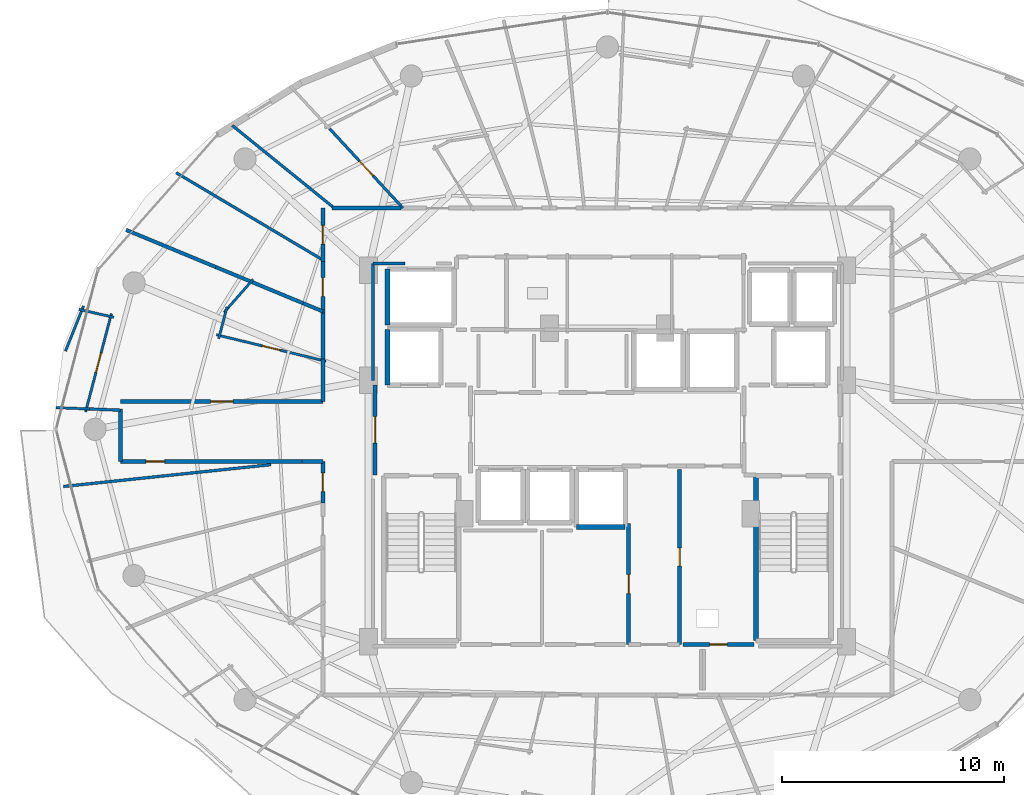
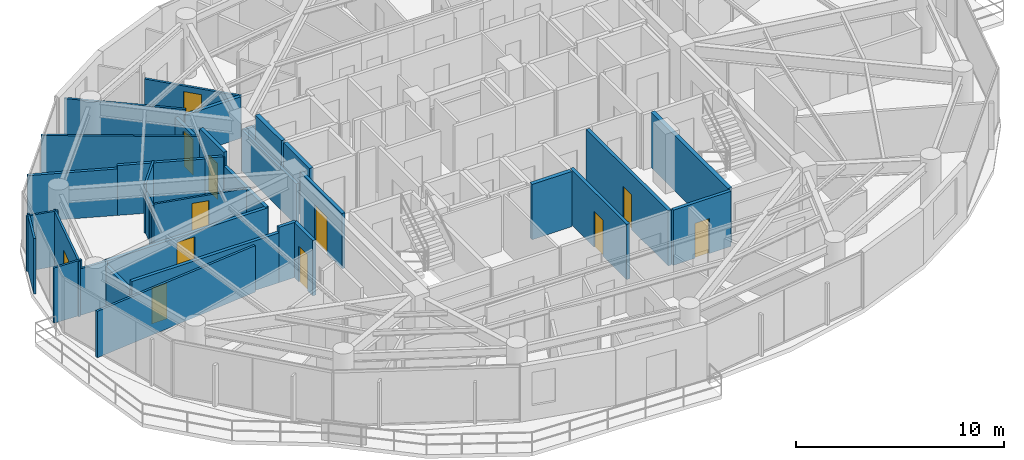
# One storey, part 21 of 28: 35 walls, 12 doors, 12 openings.
"""IFC4 building model written with IfcOpenShell, lengths in metres."""

from ifc_helpers import new_model, si_unit, direction, frame, frame_2d, origin, place, context, subcontext, project, spatial, rectangle, extrude, material, layer, layer_set, type_object, element, fill, save


model = new_model("IFC4")

# Units and contexts
model_context = context("Model", 3, precision=1e-05, world=origin(), true_north=direction((0.0, 1.0)))
body_context = subcontext(model_context, "Body", "Model", "MODEL_VIEW")
ifc_project = project(units=[si_unit("LENGTHUNIT", "METRE"), si_unit("AREAUNIT", "SQUARE_METRE"), si_unit("VOLUMEUNIT", "CUBIC_METRE"), si_unit("PLANEANGLEUNIT", "RADIAN"), si_unit("MASSUNIT", "GRAM", prefix="KILO")], contexts=[model_context])

# Site, building, storey
site_placement = place(None, origin())
site = spatial("IfcSite", under=ifc_project, at=site_placement, CompositionType="ELEMENT")
building_placement = place(site_placement, origin())
building = spatial("IfcBuilding", under=site, at=building_placement, Name="Vorneva Point Tower", CompositionType="ELEMENT")
storey_placement = place(building_placement, frame((0.0, 0.0, 146.60009765625)))
storey = spatial("IfcBuildingStorey", under=building, at=storey_placement, Name="L39", CompositionType="ELEMENT", Elevation=146.60009765625)

# Wall
ifc_material_1 = material(Name="Concrete B60 (C50/60)", Category="concrete")
ifc_layer_1 = layer(ifc_material_1, 0.5)
ifc_layer_set_1 = layer_set([ifc_layer_1], Name="Concrete B60 (C50/60)")
wall_type_1 = type_object("IfcWallType", Name="WL-CORE-500", PredefinedType="SHEAR", material=ifc_layer_set_1)
wall_1_placement = place(storey_placement, frame((28.10009765625, 30.5, 0.0), z_axis=(0.0, 0.0, 1.0), x_axis=(0.0, -1.0, 0.0)))
element("IfcWall", 1, at=wall_1_placement, inside=storey, type_object=wall_type_1, Name="L39 Lift FFL1 Shaft Wall -X", PredefinedType="SHEAR", context=body_context, shape_type="SweptSolid", body=[
    extrude(rectangle(XDim=2.5, YDim=0.219970703125, at=frame_2d((1.25, 0.0))), origin(), (0.0, 0.0, 1.0), 3.239990234375),
])

# Wall, opening, door
ifc_material_2 = material(Name="Fire-rated acoustic gypsum stud partition", Category="gypsum")
ifc_layer_2 = layer(ifc_material_2, 0.110107421875)
ifc_layer_set_2 = layer_set([ifc_layer_2], Name="Fire-rated acoustic gypsum stud partition")
wall_type_2 = type_object("IfcWallType", Name="WL-PART-110", PredefinedType="PARTITIONING", material=ifc_layer_set_2)
wall_2_placement = place(storey_placement, frame((25.336181640625, 29.06103515625, 0.0), z_axis=(0.0, 0.0, 1.0), x_axis=(-0.972001766098, 0.234973544686, 0.0)))
wall_2 = element("IfcWall", 2, at=wall_2_placement, inside=storey, type_object=wall_type_2, Name="L39 Interior Partition 104", PredefinedType="PARTITIONING", context=body_context, shape_type="SweptSolid", body=[
    extrude(rectangle(XDim=5.064208984375, YDim=0.110107421875, at=frame_2d((2.5322265625, 0.0))), origin(), (0.0, 0.0, 1.0), 2.431884765625),
])
opening_1_placement = place(wall_2_placement, frame((2.10693359375, 0.0, 0.0)))
opening_1 = element("IfcOpeningElement", 3, at=opening_1_placement, cuts=wall_2, Name="Opening ID-02", PredefinedType="OPENING", context=body_context, shape_type="SweptSolid", body=[
    extrude(rectangle(XDim=0.85009765625, YDim=2.10009765625, at=frame_2d((0.425048828125, 1.050048828125))), frame((0.0, 0.06982421875, 0.0), z_axis=(0.0, -1.0, 0.0), x_axis=(1.0, 0.0, 0.0)), (0.0, 0.0, 1.0), 0.139892578125),
])
ifc_material_3 = material(Name="Engineered oak fire-rated door leaf", Category="wood")
door_type_1 = type_object("IfcDoorType", Name="DR-BATH-850", OperationType="NOTDEFINED", PredefinedType="DOOR", material=ifc_material_3)
door_1_placement = place(opening_1_placement, origin())
door_1 = element("IfcDoor", 4, at=door_1_placement, inside=storey, type_object=door_type_1, Name="L39 Door Living and Dining Room L39-04 / Bathroom L39-04", OperationType="SINGLE_SWING_RIGHT", OverallHeight=2.10009765625, OverallWidth=0.85009765625, PredefinedType="DOOR", context=body_context, shape_type="SweptSolid", body=[
    extrude(rectangle(XDim=0.85009765625, YDim=2.10009765625, at=frame_2d((0.425048828125, 1.050048828125))), frame((0.0, 0.02490234375, 0.0), z_axis=(0.0, -1.0, 0.0), x_axis=(1.0, 0.0, 0.0)), (0.0, 0.0, 1.0), 0.050048828125),
])
fill(opening_1, door_1)

# Walls
wall_3_placement = place(storey_placement, frame((20.514404296875, 30.08251953125, 0.0), z_axis=(0.0, 0.0, 1.0), x_axis=(0.254223916145, 0.967145387447, 0.0)))
element("IfcWall", 5, at=wall_3_placement, inside=storey, type_object=wall_type_2, Name="L39 Interior Partition 105", PredefinedType="PARTITIONING", context=body_context, shape_type="SweptSolid", body=[
    extrude(rectangle(XDim=1.47216796875, YDim=0.110107421875, at=frame_2d((0.736083984375, 0.0))), origin(), (0.0, 0.0, 1.0), 2.431884765625),
])
wall_4_placement = place(storey_placement, frame((20.76025390625, 31.26611328125, 0.0), z_axis=(0.0, 0.0, 1.0), x_axis=(0.662014950831, 0.749490630279, 0.0)))
element("IfcWall", 6, at=wall_4_placement, inside=storey, type_object=wall_type_2, Name="L39 Interior Partition 106", PredefinedType="PARTITIONING", context=body_context, shape_type="SweptSolid", body=[
    extrude(rectangle(XDim=1.970458984375, YDim=0.110107421875, at=frame_2d((0.9853515625, 0.0))), origin(), (0.0, 0.0, 1.0), 2.921875),
])
wall_5_placement = place(storey_placement, frame((14.2255859375, 31.39306640625, 0.0), z_axis=(0.0, 0.0, 1.0), x_axis=(0.975195623383, -0.221344744989, 0.0)))
element("IfcWall", 7, at=wall_5_placement, inside=storey, type_object=wall_type_2, Name="L39 Interior Partition 107", PredefinedType="PARTITIONING", context=body_context, shape_type="SweptSolid", body=[
    extrude(rectangle(XDim=1.603759765625, YDim=0.110107421875, at=frame_2d((0.8017578125, 0.0))), origin(), (0.0, 0.0, 1.0), 3.239990234375),
])

# Wall, opening, door
wall_6_placement = place(storey_placement, frame((15.688720703125, 31.204345703125, 0.0), z_axis=(0.0, 0.0, 1.0), x_axis=(-0.254346037576, -0.967113278354, 0.0)))
wall_6 = element("IfcWall", 8, at=wall_6_placement, inside=storey, type_object=wall_type_2, Name="L39 Interior Partition 108", PredefinedType="PARTITIONING", context=body_context, shape_type="SweptSolid", body=[
    extrude(rectangle(XDim=4.570068359375, YDim=0.110107421875, at=frame_2d((2.28515625, 0.0))), origin(), (0.0, 0.0, 1.0), 3.239990234375),
])
opening_2_placement = place(wall_6_placement, frame((1.8349609375, 0.0, 0.0)))
opening_2 = element("IfcOpeningElement", 9, at=opening_2_placement, cuts=wall_6, Name="Opening ID-01", PredefinedType="OPENING", context=body_context, shape_type="SweptSolid", body=[
    extrude(rectangle(XDim=0.89990234375, YDim=2.10009765625, at=frame_2d((0.449951171875, 1.050048828125))), frame((0.0, 0.06982421875, 0.0), z_axis=(0.0, -1.0, 0.0), x_axis=(1.0, 0.0, 0.0)), (0.0, 0.0, 1.0), 0.139892578125),
])
door_type_2 = type_object("IfcDoorType", Name="DR-ROOM-900", OperationType="NOTDEFINED", PredefinedType="DOOR", material=ifc_material_3)
door_2_placement = place(opening_2_placement, origin())
door_2 = element("IfcDoor", 10, at=door_2_placement, inside=storey, type_object=door_type_2, Name="L39 Door Living and Dining Room L39-04 / Kitchen L39-04", OperationType="SINGLE_SWING_LEFT", OverallHeight=2.10009765625, OverallWidth=0.89990234375, PredefinedType="DOOR", context=body_context, shape_type="SweptSolid", body=[
    extrude(rectangle(XDim=0.89990234375, YDim=2.10009765625, at=frame_2d((0.449951171875, 1.050048828125))), frame((0.0, 0.02490234375, 0.0), z_axis=(0.0, -1.0, 0.0), x_axis=(1.0, 0.0, 0.0)), (0.0, 0.0, 1.0), 0.050048828125),
])
fill(opening_2, door_2)

# Walls
wall_7_placement = place(storey_placement, frame((14.43603515625, 31.548095703125, 0.0), z_axis=(0.0, 0.0, 1.0), x_axis=(-0.371544752876, -0.928415045446, 0.0)))
element("IfcWall", 11, at=wall_7_placement, inside=storey, type_object=wall_type_2, Name="L39 Interior Partition 109", PredefinedType="PARTITIONING", context=body_context, shape_type="SweptSolid", body=[
    extrude(rectangle(XDim=2.185546875, YDim=0.110107421875, at=frame_2d((1.0927734375, 0.0))), origin(), (0.0, 0.0, 1.0), 3.239990234375),
])
wall_8_placement = place(storey_placement, frame((13.18701171875, 26.974609375, 0.0), z_axis=(0.0, 0.0, 1.0), x_axis=(0.999208657324, -0.039775106907, 0.0)))
element("IfcWall", 12, at=wall_8_placement, inside=storey, type_object=wall_type_2, Name="L39 Interior Partition 111", PredefinedType="PARTITIONING", context=body_context, shape_type="SweptSolid", body=[
    extrude(rectangle(XDim=1.51611328125, YDim=0.110107421875, at=frame_2d((0.758056640625, 0.0))), origin(), (0.0, 0.0, 1.0), 3.239990234375),
])

# Wall, opening, door
ifc_layer_3 = layer(ifc_material_2, 0.125)
ifc_layer_set_3 = layer_set([ifc_layer_3], Name="Fire-rated acoustic gypsum stud partition")
wall_type_3 = type_object("IfcWallType", Name="WL-PART-125", PredefinedType="PARTITIONING", material=ifc_layer_set_3)
wall_9_placement = place(storey_placement, frame((25.5048828125, 39.51708984375, 0.0), z_axis=(0.0, 0.0, 1.0), x_axis=(0.678766339668, -0.734354312395, 0.0)))
wall_9 = element("IfcWall", 13, at=wall_9_placement, inside=storey, type_object=wall_type_3, Name="L39 Interior Partition 098", PredefinedType="PARTITIONING", context=body_context, shape_type="SweptSolid", body=[
    extrude(rectangle(XDim=4.857421875, YDim=0.125, at=frame_2d((2.4287109375, 0.0))), origin(), (0.0, 0.0, 1.0), 2.431884765625),
])
opening_3_placement = place(wall_9_placement, frame((1.978759765625, 0.0, 0.0)))
opening_3 = element("IfcOpeningElement", 14, at=opening_3_placement, cuts=wall_9, Name="Opening ID-01", PredefinedType="OPENING", context=body_context, shape_type="SweptSolid", body=[
    extrude(rectangle(XDim=0.89990234375, YDim=2.10009765625, at=frame_2d((0.449951171875, 1.050048828125))), frame((0.0, 0.077392578125, 0.0), z_axis=(0.0, -1.0, 0.0), x_axis=(1.0, 0.0, 0.0)), (0.0, 0.0, 1.0), 0.15478515625),
])
door_3_placement = place(opening_3_placement, origin())
door_3 = element("IfcDoor", 15, at=door_3_placement, inside=storey, type_object=door_type_2, Name="L39 Door Living and Dining Room L39-03 / Master Bedroom L39-03.1", OperationType="SINGLE_SWING_LEFT", OverallHeight=2.10009765625, OverallWidth=0.89990234375, PredefinedType="DOOR", context=body_context, shape_type="SweptSolid", body=[
    extrude(rectangle(XDim=0.89990234375, YDim=2.10009765625, at=frame_2d((0.449951171875, 1.050048828125))), frame((0.0, 0.02490234375, 0.0), z_axis=(0.0, -1.0, 0.0), x_axis=(1.0, 0.0, 0.0)), (0.0, 0.0, 1.0), 0.050048828125),
])
fill(opening_3, door_3)

# Walls
wall_10_placement = place(storey_placement, frame((21.1259765625, 39.6650390625, 0.0), z_axis=(0.0, 0.0, 1.0), x_axis=(0.777089771819, -0.629389773141, 0.0)))
element("IfcWall", 16, at=wall_10_placement, inside=storey, type_object=wall_type_3, Name="L39 Interior Partition 099", PredefinedType="PARTITIONING", context=body_context, shape_type="SweptSolid", body=[
    extrude(rectangle(XDim=5.902587890625, YDim=0.125, at=frame_2d((2.951171875, 0.0))), origin(), (0.0, 0.0, 1.0), 2.727783203125),
])
wall_11_placement = place(storey_placement, frame((18.60302734375, 37.5400390625, 0.0), z_axis=(0.0, 0.0, 1.0), x_axis=(0.859389720334, -0.511321140365, 0.0)))
element("IfcWall", 17, at=wall_11_placement, inside=storey, type_object=wall_type_3, Name="L39 Interior Partition 100", PredefinedType="PARTITIONING", context=body_context, shape_type="SweptSolid", body=[
    extrude(rectangle(XDim=7.67626953125, YDim=0.125, at=frame_2d((3.838134765625, 0.0))), origin(), (0.0, 0.0, 1.0), 2.727783203125),
])
wall_12_placement = place(storey_placement, frame((14.56201171875, 26.919921875, 0.0), z_axis=(0.0, 0.0, 1.0), x_axis=(0.999244683777, -0.03885951548, 0.0)))
element("IfcWall", 18, at=wall_12_placement, inside=storey, type_object=wall_type_3, Name="L39 Interior Partition 110", PredefinedType="PARTITIONING", context=body_context, shape_type="SweptSolid", body=[
    extrude(rectangle(XDim=1.539306640625, YDim=0.125, at=frame_2d((0.76953125, 0.0))), origin(), (0.0, 0.0, 1.0), 2.727783203125),
])
wall_13_placement = place(storey_placement, frame((13.535888671875, 23.428955078125, 0.0), z_axis=(0.0, 0.0, 1.0), x_axis=(0.994524817277, 0.104500659427, 0.0)))
element("IfcWall", 19, at=wall_13_placement, inside=storey, type_object=wall_type_3, Name="L39 Interior Partition 112", PredefinedType="PARTITIONING", context=body_context, shape_type="SweptSolid", body=[
    extrude(rectangle(XDim=9.38720703125, YDim=0.125, at=frame_2d((4.693603515625, 0.0))), origin(), (0.0, 0.0, 1.0), 2.727783203125),
])
ifc_layer_4 = layer(ifc_material_2, 0.139892578125)
ifc_layer_set_4 = layer_set([ifc_layer_4], Name="Fire-rated acoustic gypsum stud partition")
wall_type_4 = type_object("IfcWallType", Name="WL-PART-140", PredefinedType="PARTITIONING", material=ifc_layer_set_4)
wall_14_placement = place(storey_placement, frame((28.89404296875, 33.449951171875, 0.0), z_axis=(0.0, 0.0, 1.0), x_axis=(-1.0, 0.0, 0.0)))
element("IfcWall", 20, at=wall_14_placement, inside=storey, type_object=wall_type_4, Name="L39 Interior Closure Partition 150", PredefinedType="PARTITIONING", context=body_context, shape_type="SweptSolid", body=[
    extrude(rectangle(XDim=1.444091796875, YDim=0.139892578125, at=frame_2d((0.72216796875, 0.0))), origin(), (0.0, 0.0, 1.0), 2.431884765625),
])
wall_15_placement = place(storey_placement, frame((27.449951171875, 33.449951171875, 0.0), z_axis=(0.0, 0.0, 1.0), x_axis=(0.0, -1.0, 0.0)))
element("IfcWall", 21, at=wall_15_placement, inside=storey, type_object=wall_type_4, Name="L39 Interior Closure Partition 151", PredefinedType="PARTITIONING", context=body_context, shape_type="SweptSolid", body=[
    extrude(rectangle(XDim=5.25390625, YDim=0.139892578125, at=frame_2d((2.626953125, 0.0))), origin(), (0.0, 0.0, 1.0), 2.431884765625),
])
ifc_layer_5 = layer(ifc_material_2, 0.159912109375)
ifc_layer_set_5 = layer_set([ifc_layer_5], Name="Fire-rated acoustic gypsum stud partition")
wall_type_5 = type_object("IfcWallType", Name="WL-PART-160", PredefinedType="PARTITIONING", material=ifc_layer_set_5)
wall_16_placement = place(storey_placement, frame((16.35498046875, 34.966064453125, 0.0), z_axis=(0.0, 0.0, 1.0), x_axis=(0.923874659351, -0.382695197002, 0.0)))
element("IfcWall", 22, at=wall_16_placement, inside=storey, type_object=wall_type_5, Name="L39 Interior Partition 101", PredefinedType="PARTITIONING", context=body_context, shape_type="SweptSolid", body=[
    extrude(rectangle(XDim=4.353271484375, YDim=0.159912109375, at=frame_2d((2.1767578125, 0.0))), origin(), (0.0, 0.0, 1.0), 2.727783203125),
])
wall_17_placement = place(storey_placement, frame((20.376953125, 33.300048828125, 0.0), z_axis=(0.0, 0.0, 1.0), x_axis=(0.923801529802, -0.382871693306, 0.0)))
element("IfcWall", 23, at=wall_17_placement, inside=storey, type_object=wall_type_5, Name="L39 Interior Partition 102", PredefinedType="PARTITIONING", context=body_context, shape_type="SweptSolid", body=[
    extrude(rectangle(XDim=4.39599609375, YDim=0.159912109375, at=frame_2d((2.197998046875, 0.0))), origin(), (0.0, 0.0, 1.0), 2.921875),
])
wall_18_placement = place(storey_placement, frame((24.30859375, 31.670654296875, 0.0), z_axis=(0.0, 0.0, 1.0), x_axis=(0.923855963606, -0.38274032778, 0.0)))
element("IfcWall", 24, at=wall_18_placement, inside=storey, type_object=wall_type_5, Name="L39 Interior Partition 103", PredefinedType="PARTITIONING", context=body_context, shape_type="SweptSolid", body=[
    extrude(rectangle(XDim=0.9619140625, YDim=0.159912109375, at=frame_2d((0.48095703125, 0.0))), origin(), (0.0, 0.0, 1.0), 2.971923828125),
])

# Wall, opening, door
ifc_material_4 = material(Name="Autoclaved aerated concrete blockwork", Category="masonry")
ifc_layer_6 = layer(ifc_material_4, 0.179931640625)
ifc_layer_set_6 = layer_set([ifc_layer_6], Name="Autoclaved aerated concrete blockwork")
wall_type_6 = type_object("IfcWallType", Name="WL-PART-180", PredefinedType="PARTITIONING", material=ifc_layer_set_6)
wall_19_placement = place(storey_placement, frame((27.550048828125, 28.0, 0.0), z_axis=(0.0, 0.0, 1.0), x_axis=(0.0, -1.0, 0.0)))
wall_19 = element("IfcWall", 25, at=wall_19_placement, inside=storey, type_object=wall_type_6, Name="L39 Interior Partition 002", PredefinedType="PARTITIONING", context=body_context, shape_type="SweptSolid", body=[
    extrude(rectangle(XDim=4.050048828125, YDim=0.179931640625, at=frame_2d((2.02490234375, 0.0))), origin(), (0.0, 0.0, 1.0), 3.239990234375),
])
opening_4_placement = place(wall_19_placement, frame((1.425048828125, 0.0, 0.0)))
opening_4 = element("IfcOpeningElement", 26, at=opening_4_placement, cuts=wall_19, Name="Opening FD-02", PredefinedType="OPENING", context=body_context, shape_type="SweptSolid", body=[
    extrude(rectangle(XDim=1.199951171875, YDim=2.14990234375, at=frame_2d((0.60009765625, 1.074951171875))), frame((0.0, 0.10498046875, 0.0), z_axis=(0.0, -1.0, 0.0), x_axis=(1.0, 0.0, 0.0)), (0.0, 0.0, 1.0), 0.209716796875),
])
ifc_material_5 = material(Name="Fire-rated powder-coated steel", Category="steel")
door_type_3 = type_object("IfcDoorType", Name="DR-FFL-1200", OperationType="NOTDEFINED", PredefinedType="DOOR", material=ifc_material_5)
door_4_placement = place(opening_4_placement, origin())
door_4 = element("IfcDoor", 27, at=door_4_placement, inside=storey, type_object=door_type_3, Name="L39 Door West Firefighting Lobby / L39 Circulation Corridor", OperationType="SINGLE_SWING_RIGHT", OverallHeight=2.14990234375, OverallWidth=1.199951171875, PredefinedType="DOOR", context=body_context, shape_type="SweptSolid", body=[
    extrude(rectangle(XDim=1.199951171875, YDim=2.14990234375, at=frame_2d((0.60009765625, 1.074951171875))), frame((0.0, 0.02490234375, 0.0), z_axis=(0.0, -1.0, 0.0), x_axis=(1.0, 0.0, 0.0)), (0.0, 0.0, 1.0), 0.050048828125),
])
fill(opening_4, door_4)

wall_20_placement = place(storey_placement, frame((41.25, 16.320068359375, 0.0), z_axis=(0.0, 0.0, 1.0), x_axis=(0.0, 1.0, 0.0)))
wall_20 = element("IfcWall", 28, at=wall_20_placement, inside=storey, type_object=wall_type_6, Name="L39 Interior Partition 014", PredefinedType="PARTITIONING", context=body_context, shape_type="SweptSolid", body=[
    extrude(rectangle(XDim=7.8798828125, YDim=0.179931640625, at=frame_2d((3.93994140625, 0.0))), origin(), (0.0, 0.0, 1.0), 3.239990234375),
])
opening_5_placement = place(wall_20_placement, frame((3.5400390625, 0.0, 0.0)))
opening_5 = element("IfcOpeningElement", 29, at=opening_5_placement, cuts=wall_20, Name="Opening RD-01", PredefinedType="OPENING", context=body_context, shape_type="SweptSolid", body=[
    extrude(rectangle(XDim=0.800048828125, YDim=2.050048828125, at=frame_2d((0.39990234375, 1.02490234375))), frame((0.0, 0.10498046875, 0.0), z_axis=(0.0, -1.0, 0.0), x_axis=(1.0, 0.0, 0.0)), (0.0, 0.0, 1.0), 0.209716796875),
])
door_type_4 = type_object("IfcDoorType", Name="DR-RSR-800", OperationType="SINGLE_SWING_LEFT", PredefinedType="DOOR", material=ifc_material_5)
door_5_placement = place(opening_5_placement, origin())
door_5 = element("IfcDoor", 30, at=door_5_placement, inside=storey, type_object=door_type_4, Name="L39 Door Core Service Lobby / Electrical Riser", OperationType="SINGLE_SWING_RIGHT", OverallHeight=2.050048828125, OverallWidth=0.800048828125, PredefinedType="DOOR", context=body_context, shape_type="SweptSolid", body=[
    extrude(rectangle(XDim=0.800048828125, YDim=2.050048828125, at=frame_2d((0.39990234375, 1.02490234375))), frame((0.0, 0.02490234375, 0.0), z_axis=(0.0, -1.0, 0.0), x_axis=(1.0, 0.0, 0.0)), (0.0, 0.0, 1.0), 0.050048828125),
])
fill(opening_5, door_5)

wall_21_placement = place(storey_placement, frame((38.949951171875, 21.7548828125, 0.0), z_axis=(0.0, 0.0, 1.0), x_axis=(0.0, -1.0, 0.0)))
wall_21 = element("IfcWall", 31, at=wall_21_placement, inside=storey, type_object=wall_type_6, Name="L39 Interior Partition 015", PredefinedType="PARTITIONING", context=body_context, shape_type="SweptSolid", body=[
    extrude(rectangle(XDim=5.434814453125, YDim=0.179931640625, at=frame_2d((2.71728515625, 0.0))), origin(), (0.0, 0.0, 1.0), 3.239990234375),
])
opening_6_placement = place(wall_21_placement, frame((2.29248046875, 0.0, 0.0)))
opening_6 = element("IfcOpeningElement", 32, at=opening_6_placement, cuts=wall_21, Name="Opening ID-02", PredefinedType="OPENING", context=body_context, shape_type="SweptSolid", body=[
    extrude(rectangle(XDim=0.85009765625, YDim=2.10009765625, at=frame_2d((0.425048828125, 1.050048828125))), frame((0.0, 0.10498046875, 0.0), z_axis=(0.0, -1.0, 0.0), x_axis=(1.0, 0.0, 0.0)), (0.0, 0.0, 1.0), 0.209716796875),
])
door_6_placement = place(opening_6_placement, origin())
door_6 = element("IfcDoor", 33, at=door_6_placement, inside=storey, type_object=door_type_1, Name="L39 Door Core Service Lobby / Tenant Equipment Store", OperationType="SINGLE_SWING_LEFT", OverallHeight=2.10009765625, OverallWidth=0.85009765625, PredefinedType="DOOR", context=body_context, shape_type="SweptSolid", body=[
    extrude(rectangle(XDim=0.85009765625, YDim=2.10009765625, at=frame_2d((0.425048828125, 1.050048828125))), frame((0.0, 0.02490234375, 0.0), z_axis=(0.0, -1.0, 0.0), x_axis=(1.0, 0.0, 0.0)), (0.0, 0.0, 1.0), 0.050048828125),
])
fill(opening_6, door_6)

wall_22_placement = place(storey_placement, frame((41.39990234375, 16.320068359375, 0.0), z_axis=(0.0, 0.0, 1.0), x_axis=(1.0, 0.0, 0.0)))
wall_22 = element("IfcWall", 34, at=wall_22_placement, inside=storey, type_object=wall_type_6, Name="L39 Interior Partition 017", PredefinedType="PARTITIONING", context=body_context, shape_type="SweptSolid", body=[
    extrude(rectangle(XDim=3.2001953125, YDim=0.179931640625, at=frame_2d((1.60009765625, 0.0))), origin(), (0.0, 0.0, 1.0), 3.239990234375),
])
opening_7_placement = place(wall_22_placement, frame((1.199951171875, 0.0, 0.0)))
opening_7 = element("IfcOpeningElement", 35, at=opening_7_placement, cuts=wall_22, Name="Opening RD-01", PredefinedType="OPENING", context=body_context, shape_type="SweptSolid", body=[
    extrude(rectangle(XDim=0.800048828125, YDim=2.050048828125, at=frame_2d((0.39990234375, 1.02490234375))), frame((0.0, 0.10498046875, 0.0), z_axis=(0.0, -1.0, 0.0), x_axis=(1.0, 0.0, 0.0)), (0.0, 0.0, 1.0), 0.209716796875),
])
door_7_placement = place(opening_7_placement, origin())
door_7 = element("IfcDoor", 36, at=door_7_placement, inside=storey, type_object=door_type_4, Name="L39 Door Electrical Riser / L39 Circulation Corridor", OperationType="SINGLE_SWING_LEFT", OverallHeight=2.050048828125, OverallWidth=0.800048828125, PredefinedType="DOOR", context=body_context, shape_type="SweptSolid", body=[
    extrude(rectangle(XDim=0.800048828125, YDim=2.050048828125, at=frame_2d((0.39990234375, 1.02490234375))), frame((0.0, 0.02490234375, 0.0), z_axis=(0.0, -1.0, 0.0), x_axis=(1.0, 0.0, 0.0)), (0.0, 0.0, 1.0), 0.050048828125),
])
fill(opening_7, door_7)

# Wall
wall_23_placement = place(storey_placement, frame((28.719970703125, 35.949951171875, 0.0), z_axis=(0.0, 0.0, 1.0), x_axis=(-1.0, 0.0, 0.0)))
element("IfcWall", 37, at=wall_23_placement, inside=storey, type_object=wall_type_6, Name="L39 Interior Partition 042", PredefinedType="PARTITIONING", context=body_context, shape_type="SweptSolid", body=[
    extrude(rectangle(XDim=3.10205078125, YDim=0.179931640625, at=frame_2d((1.551025390625, 0.0))), origin(), (0.0, 0.0, 1.0), 2.431884765625),
])

# Wall, opening, door
wall_24_placement = place(storey_placement, frame((25.199951171875, 35.949951171875, 0.0), z_axis=(0.0, 0.0, 1.0), x_axis=(0.0, -1.0, 0.0)))
wall_24 = element("IfcWall", 38, at=wall_24_placement, inside=storey, type_object=wall_type_6, Name="L39 Interior Partition 043", PredefinedType="PARTITIONING", context=body_context, shape_type="SweptSolid", body=[
    extrude(rectangle(XDim=2.39501953125, YDim=0.179931640625, at=frame_2d((1.197509765625, 0.0))), origin(), (0.0, 0.0, 1.0), 2.431884765625),
])
opening_8_placement = place(wall_24_placement, frame((0.7724609375, 0.0, 0.0)))
opening_8 = element("IfcOpeningElement", 39, at=opening_8_placement, cuts=wall_24, Name="Opening ID-02", PredefinedType="OPENING", context=body_context, shape_type="SweptSolid", body=[
    extrude(rectangle(XDim=0.85009765625, YDim=2.10009765625, at=frame_2d((0.425048828125, 1.050048828125))), frame((0.0, 0.10498046875, 0.0), z_axis=(0.0, -1.0, 0.0), x_axis=(1.0, 0.0, 0.0)), (0.0, 0.0, 1.0), 0.209716796875),
])
door_8_placement = place(opening_8_placement, origin())
door_8 = element("IfcDoor", 40, at=door_8_placement, inside=storey, type_object=door_type_1, Name="L39 Access Door L39 Circulation Corridor", OperationType="SINGLE_SWING_LEFT", OverallHeight=2.10009765625, OverallWidth=0.85009765625, PredefinedType="DOOR", context=body_context, shape_type="SweptSolid", body=[
    extrude(rectangle(XDim=0.85009765625, YDim=2.10009765625, at=frame_2d((0.425048828125, 1.050048828125))), frame((0.0, 0.02490234375, 0.0), z_axis=(0.0, -1.0, 0.0), x_axis=(1.0, 0.0, 0.0)), (0.0, 0.0, 1.0), 0.050048828125),
])
fill(opening_8, door_8)

wall_25_placement = place(storey_placement, frame((25.199951171875, 33.554931640625, 0.0), z_axis=(0.0, 0.0, 1.0), x_axis=(0.0, -1.0, 0.0)))
wall_25 = element("IfcWall", 41, at=wall_25_placement, inside=storey, type_object=wall_type_6, Name="L39 Interior Partition 044", PredefinedType="PARTITIONING", context=body_context, shape_type="SweptSolid", body=[
    extrude(rectangle(XDim=2.31298828125, YDim=0.179931640625, at=frame_2d((1.156494140625, 0.0))), origin(), (0.0, 0.0, 1.0), 3.239990234375),
])
opening_9_placement = place(wall_25_placement, frame((0.7314453125, 0.0, 0.0)))
opening_9 = element("IfcOpeningElement", 42, at=opening_9_placement, cuts=wall_25, Name="Opening ID-02", PredefinedType="OPENING", context=body_context, shape_type="SweptSolid", body=[
    extrude(rectangle(XDim=0.85009765625, YDim=2.10009765625, at=frame_2d((0.425048828125, 1.050048828125))), frame((0.0, 0.10498046875, 0.0), z_axis=(0.0, -1.0, 0.0), x_axis=(1.0, 0.0, 0.0)), (0.0, 0.0, 1.0), 0.209716796875),
])
door_9_placement = place(opening_9_placement, origin())
door_9 = element("IfcDoor", 43, at=door_9_placement, inside=storey, type_object=door_type_1, Name="L39 Access Door L39 Circulation Corridor", OperationType="SINGLE_SWING_RIGHT", OverallHeight=2.10009765625, OverallWidth=0.85009765625, PredefinedType="DOOR", context=body_context, shape_type="SweptSolid", body=[
    extrude(rectangle(XDim=0.85009765625, YDim=2.10009765625, at=frame_2d((0.425048828125, 1.050048828125))), frame((0.0, 0.02490234375, 0.0), z_axis=(0.0, -1.0, 0.0), x_axis=(1.0, 0.0, 0.0)), (0.0, 0.0, 1.0), 0.050048828125),
])
fill(opening_9, door_9)

# Wall
wall_26_placement = place(storey_placement, frame((25.199951171875, 29.156005859375, 0.0), z_axis=(0.0, 0.0, 1.0), x_axis=(0.0, -1.0, 0.0)))
element("IfcWall", 44, at=wall_26_placement, inside=storey, type_object=wall_type_6, Name="L39 Interior Partition 045", PredefinedType="PARTITIONING", context=body_context, shape_type="SweptSolid", body=[
    extrude(rectangle(XDim=1.906005859375, YDim=0.179931640625, at=frame_2d((0.953125, 0.0))), origin(), (0.0, 0.0, 1.0), 2.431884765625),
])

# Wall, opening, door
wall_27_placement = place(storey_placement, frame((25.199951171875, 27.25, 0.0), z_axis=(0.0, 0.0, 1.0), x_axis=(-1.0, 0.0, 0.0)))
wall_27 = element("IfcWall", 45, at=wall_27_placement, inside=storey, type_object=wall_type_6, Name="L39 Interior Partition 046", PredefinedType="PARTITIONING", context=body_context, shape_type="SweptSolid", body=[
    extrude(rectangle(XDim=9.099853515625, YDim=0.179931640625, at=frame_2d((4.5498046875, 0.0))), origin(), (0.0, 0.0, 1.0), 2.431884765625),
])
opening_10_placement = place(wall_27_placement, frame((4.050048828125, 0.0, 0.0)))
opening_10 = element("IfcOpeningElement", 46, at=opening_10_placement, cuts=wall_27, Name="Opening UD-01", PredefinedType="OPENING", context=body_context, shape_type="SweptSolid", body=[
    extrude(rectangle(XDim=1.0, YDim=2.14990234375, at=frame_2d((0.5, 1.074951171875))), frame((0.0, 0.10498046875, 0.0), z_axis=(0.0, -1.0, 0.0), x_axis=(1.0, 0.0, 0.0)), (0.0, 0.0, 1.0), 0.209716796875),
])
door_type_5 = type_object("IfcDoorType", Name="DR-UNIT-1000", OperationType="NOTDEFINED", PredefinedType="DOOR", material=ifc_material_3)
door_10_placement = place(opening_10_placement, origin())
door_10 = element("IfcDoor", 47, at=door_10_placement, inside=storey, type_object=door_type_5, Name="L39 Door L39 Circulation Corridor / Living and Dining Room L39-04", OperationType="SINGLE_SWING_RIGHT", OverallHeight=2.14990234375, OverallWidth=1.0, PredefinedType="DOOR", context=body_context, shape_type="SweptSolid", body=[
    extrude(rectangle(XDim=1.0, YDim=2.14990234375, at=frame_2d((0.5, 1.074951171875))), frame((0.0, 0.02490234375, 0.0), z_axis=(0.0, -1.0, 0.0), x_axis=(1.0, 0.0, 0.0)), (0.0, 0.0, 1.0), 0.050048828125),
])
fill(opening_10, door_10)

# Walls
wall_28_placement = place(storey_placement, frame((25.199951171875, 31.382080078125, 0.0), z_axis=(0.0, 0.0, 1.0), x_axis=(0.0, -1.0, 0.0)))
element("IfcWall", 48, at=wall_28_placement, inside=storey, type_object=wall_type_6, Name="L39 Interior Partition 047", PredefinedType="PARTITIONING", context=body_context, shape_type="SweptSolid", body=[
    extrude(rectangle(XDim=2.365966796875, YDim=0.179931640625, at=frame_2d((1.18310546875, 0.0))), origin(), (0.0, 0.0, 1.0), 2.431884765625),
])
wall_29_placement = place(storey_placement, frame((16.10009765625, 26.919921875, 0.0), z_axis=(0.0, 0.0, 1.0), x_axis=(0.0, -1.0, 0.0)))
element("IfcWall", 49, at=wall_29_placement, inside=storey, type_object=wall_type_6, Name="L39 Interior Partition 048", PredefinedType="PARTITIONING", context=body_context, shape_type="SweptSolid", body=[
    extrude(rectangle(XDim=2.369873046875, YDim=0.179931640625, at=frame_2d((1.18505859375, 0.0))), origin(), (0.0, 0.0, 1.0), 2.431884765625),
])

# Wall, opening, door
wall_30_placement = place(storey_placement, frame((16.10009765625, 24.550048828125, 0.0), z_axis=(0.0, 0.0, 1.0), x_axis=(1.0, 0.0, 0.0)))
wall_30 = element("IfcWall", 50, at=wall_30_placement, inside=storey, type_object=wall_type_6, Name="L39 Interior Partition 049", PredefinedType="PARTITIONING", context=body_context, shape_type="SweptSolid", body=[
    extrude(rectangle(XDim=8.163818359375, YDim=0.179931640625, at=frame_2d((4.08203125, 0.0))), origin(), (0.0, 0.0, 1.0), 2.921875),
])
opening_11_placement = place(wall_30_placement, frame((1.136962890625, 0.0, 0.0)))
opening_11 = element("IfcOpeningElement", 51, at=opening_11_placement, cuts=wall_30, Name="Opening ID-02", PredefinedType="OPENING", context=body_context, shape_type="SweptSolid", body=[
    extrude(rectangle(XDim=0.85009765625, YDim=2.10009765625, at=frame_2d((0.425048828125, 1.050048828125))), frame((0.0, 0.10498046875, 0.0), z_axis=(0.0, -1.0, 0.0), x_axis=(1.0, 0.0, 0.0)), (0.0, 0.0, 1.0), 0.209716796875),
])
door_11_placement = place(opening_11_placement, origin())
door_11 = element("IfcDoor", 52, at=door_11_placement, inside=storey, type_object=door_type_1, Name="L39 Access Door L39 Circulation Corridor", OperationType="SINGLE_SWING_LEFT", OverallHeight=2.10009765625, OverallWidth=0.85009765625, PredefinedType="DOOR", context=body_context, shape_type="SweptSolid", body=[
    extrude(rectangle(XDim=0.85009765625, YDim=2.10009765625, at=frame_2d((0.425048828125, 1.050048828125))), frame((0.0, 0.02490234375, 0.0), z_axis=(0.0, -1.0, 0.0), x_axis=(1.0, 0.0, 0.0)), (0.0, 0.0, 1.0), 0.050048828125),
])
fill(opening_11, door_11)

# Wall
wall_31_placement = place(storey_placement, frame((24.263916015625, 24.550048828125, 0.0), z_axis=(0.0, 0.0, 1.0), x_axis=(1.0, 0.0, 0.0)))
element("IfcWall", 53, at=wall_31_placement, inside=storey, type_object=wall_type_6, Name="L39 Interior Partition 050", PredefinedType="PARTITIONING", context=body_context, shape_type="SweptSolid", body=[
    extrude(rectangle(XDim=0.93603515625, YDim=0.179931640625, at=frame_2d((0.468017578125, 0.0))), origin(), (0.0, 0.0, 1.0), 3.239990234375),
])

# Wall, opening, door
wall_32_placement = place(storey_placement, frame((25.199951171875, 24.550048828125, 0.0), z_axis=(0.0, 0.0, 1.0), x_axis=(0.0, -1.0, 0.0)))
wall_32 = element("IfcWall", 54, at=wall_32_placement, inside=storey, type_object=wall_type_6, Name="L39 Interior Partition 051", PredefinedType="PARTITIONING", context=body_context, shape_type="SweptSolid", body=[
    extrude(rectangle(XDim=1.863037109375, YDim=0.179931640625, at=frame_2d((0.931640625, 0.0))), origin(), (0.0, 0.0, 1.0), 3.239990234375),
])
opening_12_placement = place(wall_32_placement, frame((0.506591796875, 0.0, 0.0)))
opening_12 = element("IfcOpeningElement", 55, at=opening_12_placement, cuts=wall_32, Name="Opening ID-02", PredefinedType="OPENING", context=body_context, shape_type="SweptSolid", body=[
    extrude(rectangle(XDim=0.85009765625, YDim=2.10009765625, at=frame_2d((0.425048828125, 1.050048828125))), frame((0.0, 0.10498046875, 0.0), z_axis=(0.0, -1.0, 0.0), x_axis=(1.0, 0.0, 0.0)), (0.0, 0.0, 1.0), 0.209716796875),
])
door_12_placement = place(opening_12_placement, origin())
door_12 = element("IfcDoor", 56, at=door_12_placement, inside=storey, type_object=door_type_1, Name="L39 Access Door L39 Circulation Corridor", OperationType="SINGLE_SWING_RIGHT", OverallHeight=2.10009765625, OverallWidth=0.85009765625, PredefinedType="DOOR", context=body_context, shape_type="SweptSolid", body=[
    extrude(rectangle(XDim=0.85009765625, YDim=2.10009765625, at=frame_2d((0.425048828125, 1.050048828125))), frame((0.0, 0.02490234375, 0.0), z_axis=(0.0, -1.0, 0.0), x_axis=(1.0, 0.0, 0.0)), (0.0, 0.0, 1.0), 0.050048828125),
])
fill(opening_12, door_12)

# Walls
ifc_material_6 = material(Name="Concrete B50 (C40/50)", Category="concrete")
ifc_layer_7 = layer(ifc_material_6, 0.219970703125)
ifc_layer_set_7 = layer_set([ifc_layer_7], Name="Concrete B50 (C40/50)")
wall_type_7 = type_object("IfcWallType", Name="WL-SHFT-220", PredefinedType="SOLIDWALL", material=ifc_layer_set_7)
wall_33_placement = place(storey_placement, frame((44.68994140625, 16.489990234375, 0.0), z_axis=(0.0, 0.0, 1.0), x_axis=(0.0, 1.0, 0.0)))
element("IfcWall", 57, at=wall_33_placement, inside=storey, type_object=wall_type_7, Name="L39 Exit Stair ST2 Shaft Wall left", PredefinedType="SOLIDWALL", context=body_context, shape_type="SweptSolid", body=[
    extrude(rectangle(XDim=7.419921875, YDim=0.219970703125, at=frame_2d((3.7099609375, 0.0))), origin(), (0.0, 0.0, 1.0), 3.239990234375),
])
wall_34_placement = place(storey_placement, frame((36.60009765625, 21.60009765625, 0.0), z_axis=(0.0, 0.0, 1.0), x_axis=(1.0, 0.0, 0.0)))
element("IfcWall", 58, at=wall_34_placement, inside=storey, type_object=wall_type_7, Name="L39 Lift PL6 Shaft Wall -Y", PredefinedType="SOLIDWALL", context=body_context, shape_type="SweptSolid", body=[
    extrude(rectangle(XDim=2.199951171875, YDim=0.219970703125, at=frame_2d((1.10009765625, 0.0))), origin(), (0.0, 0.0, 1.0), 3.239990234375),
])
wall_35_placement = place(storey_placement, frame((28.10009765625, 33.199951171875, 0.0), z_axis=(0.0, 0.0, 1.0), x_axis=(0.0, -1.0, 0.0)))
element("IfcWall", 59, at=wall_35_placement, inside=storey, type_object=wall_type_7, Name="L39 Lift SVL1 Shaft Wall -X", PredefinedType="SOLIDWALL", context=body_context, shape_type="SweptSolid", body=[
    extrude(rectangle(XDim=2.5, YDim=0.219970703125, at=frame_2d((1.25, 0.0))), origin(), (0.0, 0.0, 1.0), 3.239990234375),
])

save(model, "model.ifc")
